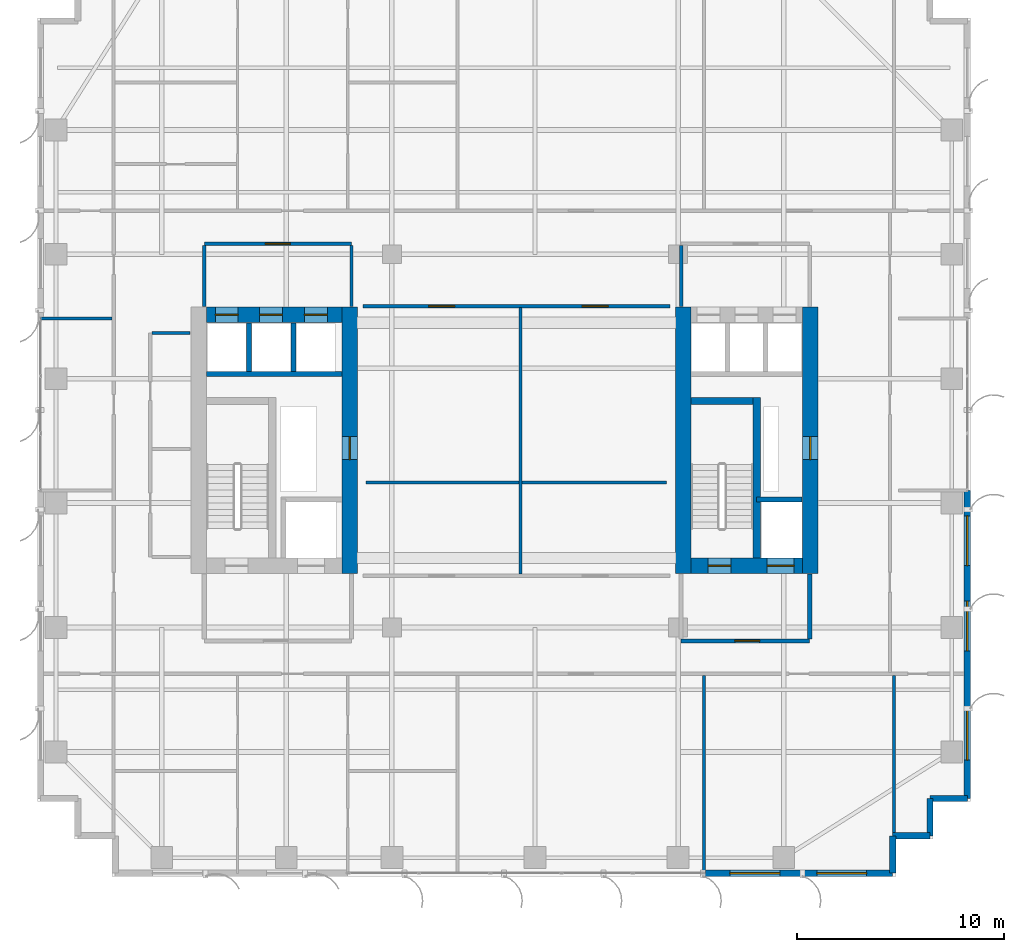
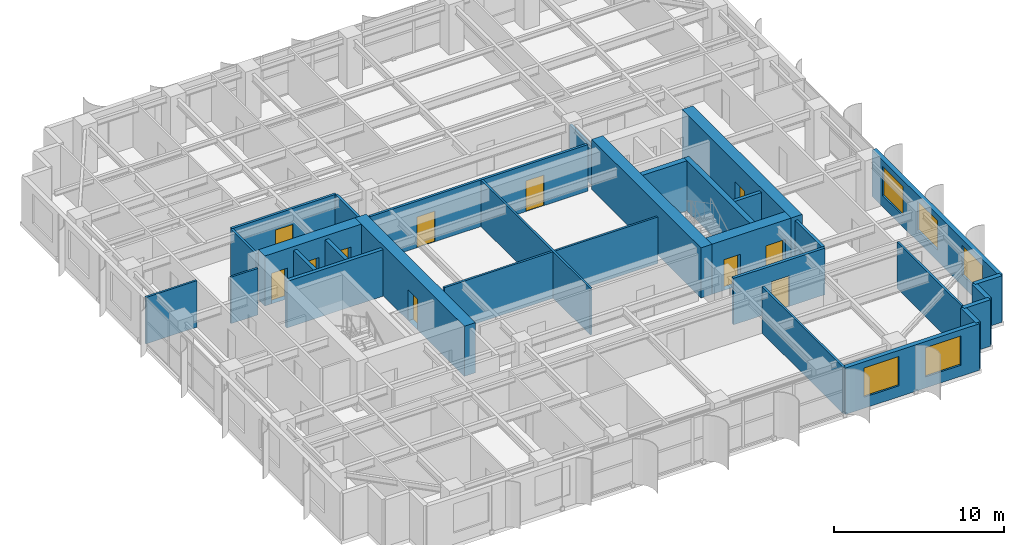
# One storey, part 21 of 26: 30 walls, 11 doors, 5 windows, 16 openings.
"""IFC4 building model written with IfcOpenShell, lengths in metres."""

from ifc_helpers import new_model, si_unit, direction, frame, frame_2d, origin, place, context, subcontext, project, spatial, rectangle, extrude, source, transform, mapped, material, layer, layer_set, type_object, element, fill, save


model = new_model("IFC4")

# Units and contexts
model_context = context("Model", 3, precision=1e-05, world=origin(), true_north=direction((0.0, 1.0)))
body_context = subcontext(model_context, "Body", "Model", "MODEL_VIEW")
ifc_project = project(units=[si_unit("LENGTHUNIT", "METRE"), si_unit("AREAUNIT", "SQUARE_METRE"), si_unit("VOLUMEUNIT", "CUBIC_METRE"), si_unit("PLANEANGLEUNIT", "RADIAN"), si_unit("MASSUNIT", "GRAM", prefix="KILO")], contexts=[model_context])

# Site, building, storey
site_placement = place(None, origin())
site = spatial("IfcSite", under=ifc_project, at=site_placement, CompositionType="ELEMENT")
building_placement = place(site_placement, origin())
building = spatial("IfcBuilding", under=site, at=building_placement, Name="Khoralis Quay Care Tower", CompositionType="ELEMENT")
storey_placement = place(building_placement, frame((0.0, 0.0, 126.89990234375)))
storey = spatial("IfcBuildingStorey", under=building, at=storey_placement, Name="L33", CompositionType="ELEMENT", Elevation=126.89990234375)

# Wall, opening, door
ifc_material_1 = material(Name="Gypsum plasterboard on acoustic metal stud")
ifc_layer_1 = layer(ifc_material_1, 0.199951171875)
ifc_layer_set_1 = layer_set([ifc_layer_1], Name="Gypsum plasterboard on acoustic metal stud")
wall_type_1 = type_object("IfcWallType", Name="WL-COMP-200", PredefinedType="PARTITIONING", material=ifc_layer_set_1)
wall_1_placement = place(storey_placement, frame((31.050048828125, 11.35009765625, 0.0), z_axis=(0.0, 0.0, 1.0), x_axis=(1.0, 0.0, 0.0)))
wall_1 = element("IfcWall", 1, at=wall_1_placement, inside=storey, type_object=wall_type_1, Name="L33 East Firefighting Lobby South Wall", PredefinedType="PARTITIONING", context=body_context, shape_type="SweptSolid", body=[
    extrude(rectangle(XDim=6.199951171875, YDim=0.199951171875, at=frame_2d((3.10009765625, 0.0))), origin(), (0.0, 0.0, 1.0), 3.340087890625),
])
opening_1_placement = place(wall_1_placement, frame((2.585693359375, 0.0, 0.0)))
opening_1 = element("IfcOpeningElement", 2, at=opening_1_placement, cuts=wall_1, Name="Opening FD1", PredefinedType="OPENING", context=body_context, shape_type="SweptSolid", body=[
    extrude(rectangle(XDim=1.199951171875, YDim=2.199951171875, at=frame_2d((0.60009765625, 1.10009765625))), frame((0.0, 0.10986328125, 0.0), z_axis=(0.0, -1.0, 0.0), x_axis=(1.0, 0.0, 0.0)), (0.0, 0.0, 1.0), 0.219970703125),
])
ifc_material_2 = material(Name="Fire-rated painted steel", Category="steel")
door_type_1 = type_object("IfcDoorType", Name="DR-FFL-1200X2200", OperationType="NOTDEFINED", PredefinedType="DOOR", material=ifc_material_2)
shared_shape_1 = source(origin(), body_context, "Body", "SweptSolid", [
    extrude(rectangle(XDim=1.199951171875, YDim=2.199951171875, at=frame_2d((0.60009765625, 1.10009765625))), frame((0.0, 0.02490234375, 0.0), z_axis=(0.0, -1.0, 0.0), x_axis=(1.0, 0.0, 0.0)), (0.0, 0.0, 1.0), 0.050048828125),
])
door_1_placement = place(opening_1_placement, origin())
door_1 = element("IfcDoor", 3, at=door_1_placement, inside=storey, type_object=door_type_1, Name="L33 East Firefighting Lobby Fire Door", OperationType="SINGLE_SWING_RIGHT", OverallHeight=2.199951171875, OverallWidth=1.199951171875, PredefinedType="DOOR", context=body_context, shape_type="MappedRepresentation", body=[
    mapped(shared_shape_1, transform((0.0, 0.0, 0.0), scale=1.0)),
])
fill(opening_1, door_1)

# Wall
wall_2_placement = place(storey_placement, frame((37.25, 11.445068359375, 0.0), z_axis=(0.0, 0.0, 1.0), x_axis=(0.0, 1.0, 0.0)))
element("IfcWall", 4, at=wall_2_placement, inside=storey, type_object=wall_type_1, Name="L33 East Firefighting Lobby East Wall", PredefinedType="PARTITIONING", context=body_context, shape_type="SweptSolid", body=[
    extrude(rectangle(XDim=3.135009765625, YDim=0.199951171875, at=frame_2d((1.5673828125, 0.0))), origin(), (0.0, 0.0, 1.0), 3.340087890625),
])

# Wall, opening, door
ifc_material_3 = material(Name="Concrete C80/95", Category="concrete")
ifc_layer_2 = layer(ifc_material_3, 0.75)
ifc_layer_set_2 = layer_set([ifc_layer_2], Name="Concrete C80/95")
wall_type_2 = type_object("IfcWallType", Name="WL-CORE-750", PredefinedType="SHEAR", material=ifc_layer_set_2)
wall_3_placement = place(storey_placement, frame((15.074951171875, 14.60009765625, 0.0), z_axis=(0.0, 0.0, 1.0), x_axis=(0.0, 1.0, 0.0)))
wall_3 = element("IfcWall", 5, at=wall_3_placement, inside=storey, type_object=wall_type_2, Name="L33 WCORE East Shear Wall", PredefinedType="SHEAR", context=body_context, shape_type="SweptSolid", body=[
    extrude(rectangle(XDim=12.849853515625, YDim=0.75, at=frame_2d((6.4248046875, 0.0))), origin(), (0.0, 0.0, 1.0), 3.60009765625),
])
opening_2_placement = place(wall_3_placement, frame((5.5, 0.0, 0.0)))
opening_2 = element("IfcOpeningElement", 6, at=opening_2_placement, cuts=wall_3, Name="Opening SD1", PredefinedType="OPENING", context=body_context, shape_type="SweptSolid", body=[
    extrude(rectangle(XDim=1.10009765625, YDim=2.199951171875, at=frame_2d((0.550048828125, 1.10009765625))), frame((0.0, 0.385009765625, 0.0), z_axis=(0.0, -1.0, 0.0), x_axis=(1.0, 0.0, 0.0)), (0.0, 0.0, 1.0), 0.77001953125),
])
door_type_2 = type_object("IfcDoorType", Name="DR-STAIR-1100X2200", OperationType="NOTDEFINED", PredefinedType="DOOR", material=ifc_material_2)
shared_shape_2 = source(origin(), body_context, "Body", "SweptSolid", [
    extrude(rectangle(XDim=1.10009765625, YDim=2.199951171875, at=frame_2d((0.550048828125, 1.10009765625))), frame((0.0, 0.02490234375, 0.0), z_axis=(0.0, -1.0, 0.0), x_axis=(1.0, 0.0, 0.0)), (0.0, 0.0, 1.0), 0.050048828125),
])
door_2_placement = place(opening_2_placement, origin())
door_2 = element("IfcDoor", 7, at=door_2_placement, inside=storey, type_object=door_type_2, Name="L33 West MEP Riser Door", OperationType="SINGLE_SWING_LEFT", OverallHeight=2.199951171875, OverallWidth=1.10009765625, PredefinedType="DOOR", context=body_context, shape_type="MappedRepresentation", body=[
    mapped(shared_shape_2, transform((0.0, 0.0, 0.0), scale=1.0)),
])
fill(opening_2, door_2)

# Wall, openings, doors
wall_4_placement = place(storey_placement, frame((8.14990234375, 27.074951171875, 0.0), z_axis=(0.0, 0.0, 1.0), x_axis=(1.0, 0.0, 0.0)))
wall_4 = element("IfcWall", 8, at=wall_4_placement, inside=storey, type_object=wall_type_2, Name="L33 WCORE North Shear Wall", PredefinedType="SHEAR", context=body_context, shape_type="SweptSolid", body=[
    extrude(rectangle(XDim=6.550048828125, YDim=0.75, at=frame_2d((3.27490234375, 0.0))), origin(), (0.0, 0.0, 1.0), 3.60009765625),
])
opening_3_placement = place(wall_4_placement, frame((0.429931640625, 0.0, 0.0)))
opening_3 = element("IfcOpeningElement", 9, at=opening_3_placement, cuts=wall_4, Name="Opening LD1", PredefinedType="OPENING", context=body_context, shape_type="SweptSolid", body=[
    extrude(rectangle(XDim=1.10009765625, YDim=2.199951171875, at=frame_2d((0.550048828125, 1.10009765625))), frame((0.0, 0.385009765625, 0.0), z_axis=(0.0, -1.0, 0.0), x_axis=(1.0, 0.0, 0.0)), (0.0, 0.0, 1.0), 0.77001953125),
])
opening_4_placement = place(wall_4_placement, frame((2.570068359375, 0.0, 0.0)))
opening_4 = element("IfcOpeningElement", 10, at=opening_4_placement, cuts=wall_4, Name="Opening LD1", PredefinedType="OPENING", context=body_context, shape_type="SweptSolid", body=[
    extrude(rectangle(XDim=1.10009765625, YDim=2.199951171875, at=frame_2d((0.550048828125, 1.10009765625))), frame((0.0, 0.385009765625, 0.0), z_axis=(0.0, -1.0, 0.0), x_axis=(1.0, 0.0, 0.0)), (0.0, 0.0, 1.0), 0.77001953125),
])
opening_5_placement = place(wall_4_placement, frame((4.72998046875, 0.0, 0.0)))
opening_5 = element("IfcOpeningElement", 11, at=opening_5_placement, cuts=wall_4, Name="Opening LD1", PredefinedType="OPENING", context=body_context, shape_type="SweptSolid", body=[
    extrude(rectangle(XDim=1.10009765625, YDim=2.199951171875, at=frame_2d((0.550048828125, 1.10009765625))), frame((0.0, 0.385009765625, 0.0), z_axis=(0.0, -1.0, 0.0), x_axis=(1.0, 0.0, 0.0)), (0.0, 0.0, 1.0), 0.77001953125),
])
ifc_material_4 = material(Name="Brushed stainless steel", Category="steel")
door_type_3 = type_object("IfcDoorType", Name="DR-LIFT-1100X2200", OperationType="SLIDING_TO_LEFT", PredefinedType="DOOR", material=ifc_material_4)
shared_shape_3 = source(origin(), body_context, "Body", "SweptSolid", [
    extrude(rectangle(XDim=1.10009765625, YDim=2.199951171875, at=frame_2d((0.550048828125, 1.10009765625))), frame((0.0, 0.02490234375, 0.0), z_axis=(0.0, -1.0, 0.0), x_axis=(1.0, 0.0, 0.0)), (0.0, 0.0, 1.0), 0.050048828125),
])
door_3_placement = place(opening_3_placement, origin())
door_3 = element("IfcDoor", 12, at=door_3_placement, inside=storey, type_object=door_type_3, Name="L33 Lift PLL1 Landing Door", OperationType="SLIDING_TO_LEFT", OverallHeight=2.199951171875, OverallWidth=1.10009765625, PredefinedType="DOOR", context=body_context, shape_type="MappedRepresentation", body=[
    mapped(shared_shape_3, transform((0.0, 0.0, 0.0), scale=1.0)),
])
fill(opening_3, door_3)
door_4_placement = place(opening_4_placement, origin())
door_4 = element("IfcDoor", 13, at=door_4_placement, inside=storey, type_object=door_type_3, Name="L33 Lift PLM1 Landing Door", OperationType="SLIDING_TO_LEFT", OverallHeight=2.199951171875, OverallWidth=1.10009765625, PredefinedType="DOOR", context=body_context, shape_type="MappedRepresentation", body=[
    mapped(shared_shape_3, transform((0.0, 0.0, 0.0), scale=1.0)),
])
fill(opening_4, door_4)
door_5_placement = place(opening_5_placement, origin())
door_5 = element("IfcDoor", 14, at=door_5_placement, inside=storey, type_object=door_type_3, Name="L33 Lift PLH1 Landing Door", OperationType="SLIDING_TO_LEFT", OverallHeight=2.199951171875, OverallWidth=1.10009765625, PredefinedType="DOOR", context=body_context, shape_type="MappedRepresentation", body=[
    mapped(shared_shape_3, transform((0.0, 0.0, 0.0), scale=1.0)),
])
fill(opening_5, door_5)

# Wall
wall_5_placement = place(storey_placement, frame((31.14501953125, 14.60009765625, 0.0), z_axis=(0.0, 0.0, 1.0), x_axis=(0.0, 1.0, 0.0)))
element("IfcWall", 15, at=wall_5_placement, inside=storey, type_object=wall_type_2, Name="L33 ECORE West Shear Wall", PredefinedType="SHEAR", context=body_context, shape_type="SweptSolid", body=[
    extrude(rectangle(XDim=12.849853515625, YDim=0.75, at=frame_2d((6.4248046875, 0.0))), origin(), (0.0, 0.0, 1.0), 3.60009765625),
])

# Wall, opening, door
wall_6_placement = place(storey_placement, frame((37.27490234375, 14.60009765625, 0.0), z_axis=(0.0, 0.0, 1.0), x_axis=(0.0, 1.0, 0.0)))
wall_6 = element("IfcWall", 16, at=wall_6_placement, inside=storey, type_object=wall_type_2, Name="L33 ECORE East Shear Wall", PredefinedType="SHEAR", context=body_context, shape_type="SweptSolid", body=[
    extrude(rectangle(XDim=12.849853515625, YDim=0.75, at=frame_2d((6.4248046875, 0.0))), origin(), (0.0, 0.0, 1.0), 3.60009765625),
])
opening_6_placement = place(wall_6_placement, frame((5.5, 0.0, 0.0)))
opening_6 = element("IfcOpeningElement", 17, at=opening_6_placement, cuts=wall_6, Name="Opening SD1", PredefinedType="OPENING", context=body_context, shape_type="SweptSolid", body=[
    extrude(rectangle(XDim=1.10009765625, YDim=2.199951171875, at=frame_2d((0.550048828125, 1.10009765625))), frame((0.0, 0.385009765625, 0.0), z_axis=(0.0, -1.0, 0.0), x_axis=(1.0, 0.0, 0.0)), (0.0, 0.0, 1.0), 0.77001953125),
])
door_6_placement = place(opening_6_placement, frame((1.10009765625, 0.0, 0.0), z_axis=(0.0, 0.0, 1.0), x_axis=(-1.0, 0.0, 0.0)))
door_6 = element("IfcDoor", 18, at=door_6_placement, inside=storey, type_object=door_type_2, Name="L33 East MEP Riser Door", OperationType="SINGLE_SWING_RIGHT", OverallHeight=2.199951171875, OverallWidth=1.10009765625, PredefinedType="DOOR", context=body_context, shape_type="MappedRepresentation", body=[
    mapped(shared_shape_2, transform((0.0, 0.0, 0.0), scale=1.0)),
])
fill(opening_6, door_6)

# Wall, openings, doors
wall_7_placement = place(storey_placement, frame((31.52001953125, 14.97509765625, 0.0), z_axis=(0.0, 0.0, 1.0), x_axis=(1.0, 0.0, 0.0)))
wall_7 = element("IfcWall", 19, at=wall_7_placement, inside=storey, type_object=wall_type_2, Name="L33 ECORE South Shear Wall", PredefinedType="SHEAR", context=body_context, shape_type="SweptSolid", body=[
    extrude(rectangle(XDim=5.3798828125, YDim=0.75, at=frame_2d((2.68994140625, 0.0))), origin(), (0.0, 0.0, 1.0), 3.60009765625),
])
opening_7_placement = place(wall_7_placement, frame((0.830078125, 0.0, 0.0)))
opening_7 = element("IfcOpeningElement", 20, at=opening_7_placement, cuts=wall_7, Name="Opening SD1", PredefinedType="OPENING", context=body_context, shape_type="SweptSolid", body=[
    extrude(rectangle(XDim=1.10009765625, YDim=2.199951171875, at=frame_2d((0.550048828125, 1.10009765625))), frame((0.0, 0.385009765625, 0.0), z_axis=(0.0, -1.0, 0.0), x_axis=(1.0, 0.0, 0.0)), (0.0, 0.0, 1.0), 0.77001953125),
])
opening_8_placement = place(wall_7_placement, frame((3.679931640625, 0.0, 0.0)))
opening_8 = element("IfcOpeningElement", 21, at=opening_8_placement, cuts=wall_7, Name="Opening LD2", PredefinedType="OPENING", context=body_context, shape_type="SweptSolid", body=[
    extrude(rectangle(XDim=1.300048828125, YDim=2.199951171875, at=frame_2d((0.64990234375, 1.10009765625))), frame((0.0, 0.385009765625, 0.0), z_axis=(0.0, -1.0, 0.0), x_axis=(1.0, 0.0, 0.0)), (0.0, 0.0, 1.0), 0.77001953125),
])
door_7_placement = place(opening_7_placement, origin())
door_7 = element("IfcDoor", 22, at=door_7_placement, inside=storey, type_object=door_type_2, Name="L33 Stair ST-T2 Fire Door", OperationType="SINGLE_SWING_RIGHT", OverallHeight=2.199951171875, OverallWidth=1.10009765625, PredefinedType="DOOR", context=body_context, shape_type="MappedRepresentation", body=[
    mapped(shared_shape_2, transform((0.0, 0.0, 0.0), scale=1.0)),
])
fill(opening_7, door_7)
door_type_4 = type_object("IfcDoorType", Name="DR-LIFT-1300X2200", OperationType="SLIDING_TO_RIGHT", PredefinedType="DOOR", material=ifc_material_4)
shared_shape_4 = source(origin(), body_context, "Body", "SweptSolid", [
    extrude(rectangle(XDim=1.300048828125, YDim=2.199951171875, at=frame_2d((0.64990234375, 1.10009765625))), frame((0.0, 0.02490234375, 0.0), z_axis=(0.0, -1.0, 0.0), x_axis=(1.0, 0.0, 0.0)), (0.0, 0.0, 1.0), 0.050048828125),
])
door_8_placement = place(opening_8_placement, origin())
door_8 = element("IfcDoor", 23, at=door_8_placement, inside=storey, type_object=door_type_4, Name="L33 Firefighting Lift FFL-2 Landing Door", OperationType="SLIDING_TO_RIGHT", OverallHeight=2.199951171875, OverallWidth=1.300048828125, PredefinedType="DOOR", context=body_context, shape_type="MappedRepresentation", body=[
    mapped(shared_shape_4, transform((0.0, 0.0, 0.0), scale=1.0)),
])
fill(opening_8, door_8)

# Wall, opening, door
ifc_layer_3 = layer(ifc_material_1, 0.1650390625)
ifc_layer_set_3 = layer_set([ifc_layer_3], Name="Gypsum plasterboard on acoustic metal stud")
wall_type_3 = type_object("IfcWallType", Name="WL-CORR-165", PredefinedType="PARTITIONING", material=ifc_layer_set_3)
wall_8_placement = place(storey_placement, frame((8.050048828125, 30.5, 0.0), z_axis=(0.0, 0.0, 1.0), x_axis=(1.0, 0.0, 0.0)))
wall_8 = element("IfcWall", 24, at=wall_8_placement, inside=storey, type_object=wall_type_3, Name="L33 West Lift Lobby North Wall", PredefinedType="PARTITIONING", context=body_context, shape_type="SweptSolid", body=[
    extrude(rectangle(XDim=7.099853515625, YDim=0.1650390625, at=frame_2d((3.5498046875, 0.0))), origin(), (0.0, 0.0, 1.0), 3.340087890625),
])
opening_9_placement = place(wall_8_placement, frame((2.949951171875, 0.0, 0.0)))
opening_9 = element("IfcOpeningElement", 25, at=opening_9_placement, cuts=wall_8, Name="Opening FD1", PredefinedType="OPENING", context=body_context, shape_type="SweptSolid", body=[
    extrude(rectangle(XDim=1.199951171875, YDim=2.199951171875, at=frame_2d((0.60009765625, 1.10009765625))), frame((0.0, 0.092529296875, 0.0), z_axis=(0.0, -1.0, 0.0), x_axis=(1.0, 0.0, 0.0)), (0.0, 0.0, 1.0), 0.18505859375),
])
door_9_placement = place(opening_9_placement, origin())
door_9 = element("IfcDoor", 26, at=door_9_placement, inside=storey, type_object=door_type_1, Name="L33 West Lift Lobby Double Door", OperationType="DOUBLE_DOOR_SINGLE_SWING", OverallHeight=2.199951171875, OverallWidth=1.199951171875, PredefinedType="DOOR", context=body_context, shape_type="MappedRepresentation", body=[
    mapped(shared_shape_1, transform((0.0, 0.0, 0.0), scale=1.0)),
])
fill(opening_9, door_9)

# Walls
for number, where, z_axis, x_axis, name in (
    (27, (8.050048828125, 27.469970703125, 0.0), (0.0, 0.0, 1.0), (0.0, 1.0, 0.0), "L33 West Lift Lobby West Wall"),
    (28, (15.14990234375, 27.469970703125, 0.0), (0.0, 0.0, 1.0), (0.0, 1.0, 0.0), "L33 West Lift Lobby East Wall"),
):
    element("IfcWall", number, at=place(storey_placement, frame(where, z_axis=z_axis, x_axis=x_axis)), inside=storey, type_object=wall_type_3, Name=name, PredefinedType="PARTITIONING", context=body_context, shape_type="SweptSolid", body=[
        extrude(rectangle(XDim=2.95263671875, YDim=0.1650390625, at=frame_2d((1.476318359375, 0.0))), origin(), (0.0, 0.0, 1.0), 3.340087890625),
    ])
wall_9_placement = place(storey_placement, frame((31.050048828125, 27.469970703125, 0.0), z_axis=(0.0, 0.0, 1.0), x_axis=(0.0, 1.0, 0.0)))
element("IfcWall", 29, at=wall_9_placement, inside=storey, type_object=wall_type_3, Name="L33 East Lift Lobby West Wall", PredefinedType="PARTITIONING", context=body_context, shape_type="SweptSolid", body=[
    extrude(rectangle(XDim=2.95263671875, YDim=0.1650390625, at=frame_2d((1.476318359375, 0.0))), origin(), (0.0, 0.0, 1.0), 2.796142578125),
])

# Wall, openings, doors
wall_10_placement = place(storey_placement, frame((15.699951171875, 27.5, 0.0), z_axis=(0.0, 0.0, 1.0), x_axis=(1.0, 0.0, 0.0)))
wall_10 = element("IfcWall", 30, at=wall_10_placement, inside=storey, type_object=wall_type_3, Name="L33 Central Clinical North Wall", PredefinedType="PARTITIONING", context=body_context, shape_type="SweptSolid", body=[
    extrude(rectangle(XDim=14.800048828125, YDim=0.1650390625, at=frame_2d((7.39990234375, 0.0))), origin(), (0.0, 0.0, 1.0), 3.340087890625),
])
opening_10_placement = place(wall_10_placement, frame((3.175048828125, 0.0, 0.0)))
opening_10 = element("IfcOpeningElement", 31, at=opening_10_placement, cuts=wall_10, Name="Opening CD1", PredefinedType="OPENING", context=body_context, shape_type="SweptSolid", body=[
    extrude(rectangle(XDim=1.25, YDim=2.199951171875, at=frame_2d((0.625, 1.10009765625))), frame((0.0, 0.092529296875, 0.0), z_axis=(0.0, -1.0, 0.0), x_axis=(1.0, 0.0, 0.0)), (0.0, 0.0, 1.0), 0.18505859375),
])
opening_11_placement = place(wall_10_placement, frame((10.574951171875, 0.0, 0.0)))
opening_11 = element("IfcOpeningElement", 32, at=opening_11_placement, cuts=wall_10, Name="Opening CD1", PredefinedType="OPENING", context=body_context, shape_type="SweptSolid", body=[
    extrude(rectangle(XDim=1.25, YDim=2.199951171875, at=frame_2d((0.625, 1.10009765625))), frame((0.0, 0.092529296875, 0.0), z_axis=(0.0, -1.0, 0.0), x_axis=(1.0, 0.0, 0.0)), (0.0, 0.0, 1.0), 0.18505859375),
])
ifc_material_5 = material(Name="Acoustic hardwood timber", Category="wood")
door_type_5 = type_object("IfcDoorType", Name="DR-CARE-1250X2200", OperationType="NOTDEFINED", PredefinedType="DOOR", material=ifc_material_5)
shared_shape_5 = source(origin(), body_context, "Body", "SweptSolid", [
    extrude(rectangle(XDim=1.25, YDim=2.199951171875, at=frame_2d((0.625, 1.10009765625))), frame((0.0, 0.02490234375, 0.0), z_axis=(0.0, -1.0, 0.0), x_axis=(1.0, 0.0, 0.0)), (0.0, 0.0, 1.0), 0.050048828125),
])
door_10_placement = place(opening_10_placement, frame((1.25, 0.0, 0.0), z_axis=(0.0, 0.0, 1.0), x_axis=(-1.0, 0.0, 0.0)))
door_10 = element("IfcDoor", 33, at=door_10_placement, inside=storey, type_object=door_type_5, Name="L33 Library Lounge Door", OperationType="SINGLE_SWING_LEFT", OverallHeight=2.199951171875, OverallWidth=1.25, PredefinedType="DOOR", context=body_context, shape_type="MappedRepresentation", body=[
    mapped(shared_shape_5, transform((0.0, 0.0, 0.0), scale=1.0)),
])
fill(opening_10, door_10)
door_11_placement = place(opening_11_placement, frame((1.25, 0.0, 0.0), z_axis=(0.0, 0.0, 1.0), x_axis=(-1.0, 0.0, 0.0)))
door_11 = element("IfcDoor", 34, at=door_11_placement, inside=storey, type_object=door_type_5, Name="L33 Occupational Therapy Door", OperationType="SINGLE_SWING_RIGHT", OverallHeight=2.199951171875, OverallWidth=1.25, PredefinedType="DOOR", context=body_context, shape_type="MappedRepresentation", body=[
    mapped(shared_shape_5, transform((0.0, 0.0, 0.0), scale=1.0)),
])
fill(opening_11, door_11)

# Wall, openings, windows
ifc_material_6 = material(Name="Precast concrete C45/55", Category="concrete")
ifc_layer_4 = layer(ifc_material_6, 0.300048828125)
ifc_layer_set_4 = layer_set([ifc_layer_4], Name="Precast concrete C45/55")
wall_type_4 = type_object("IfcWallType", Name="WL-EXT-REF-300", PredefinedType="SOLIDWALL", material=ifc_layer_set_4)
wall_11_placement = place(storey_placement, frame((32.14990234375, 0.14990234375, 0.0), z_axis=(0.0, 0.0, 1.0), x_axis=(1.0, 0.0, 0.0)))
wall_11 = element("IfcWall", 35, at=wall_11_placement, inside=storey, type_object=wall_type_4, Name="L33 External Facade Wall WL-EXT-L33-P1-E0B", PredefinedType="SOLIDWALL", context=body_context, shape_type="SweptSolid", body=[
    extrude(rectangle(XDim=9.10009765625, YDim=0.300048828125, at=frame_2d((4.550048828125, 0.0))), origin(), (0.0, 0.0, 1.0), 3.340087890625),
])
opening_12_placement = place(wall_11_placement, frame((1.2548828125, 0.0, 0.800048828125)))
opening_12 = element("IfcOpeningElement", 36, at=opening_12_placement, cuts=wall_11, Name="Opening W1", PredefinedType="OPENING", context=body_context, shape_type="SweptSolid", body=[
    extrude(rectangle(XDim=2.39990234375, YDim=2.10009765625, at=frame_2d((1.199951171875, 1.050048828125))), frame((0.0, 0.16015625, 0.0), z_axis=(0.0, -1.0, 0.0), x_axis=(1.0, 0.0, 0.0)), (0.0, 0.0, 1.0), 0.320068359375),
])
opening_13_placement = place(wall_11_placement, frame((5.445068359375, 0.0, 0.800048828125)))
opening_13 = element("IfcOpeningElement", 37, at=opening_13_placement, cuts=wall_11, Name="Opening W1", PredefinedType="OPENING", context=body_context, shape_type="SweptSolid", body=[
    extrude(rectangle(XDim=2.39990234375, YDim=2.10009765625, at=frame_2d((1.199951171875, 1.050048828125))), frame((0.0, 0.16015625, 0.0), z_axis=(0.0, -1.0, 0.0), x_axis=(1.0, 0.0, 0.0)), (0.0, 0.0, 1.0), 0.320068359375),
])
ifc_material_7 = material(Name="Low-E solar-control double glazing", Category="glass")
window_type = type_object("IfcWindowType", Name="WN-POD-2400X2100", PartitioningType="SINGLE_PANEL", PredefinedType="WINDOW", material=ifc_material_7)
shared_shape_6 = source(origin(), body_context, "Body", "SweptSolid", [
    extrude(rectangle(XDim=2.39990234375, YDim=2.10009765625, at=frame_2d((1.199951171875, 1.050048828125))), frame((0.0, 0.030029296875, 0.0), z_axis=(0.0, -1.0, 0.0), x_axis=(1.0, 0.0, 0.0)), (0.0, 0.0, 1.0), 0.06005859375),
])
window_1_placement = place(opening_12_placement, origin())
window_1 = element("IfcWindow", 38, at=window_1_placement, inside=storey, type_object=window_type, Name="WN-L33-P1-E0B Facade Window 01", OverallHeight=2.10009765625, OverallWidth=2.39990234375, PartitioningType="SINGLE_PANEL", PredefinedType="WINDOW", context=body_context, shape_type="MappedRepresentation", body=[
    mapped(shared_shape_6, transform((0.0, 0.0, 0.0), scale=1.0)),
])
fill(opening_12, window_1)
window_2_placement = place(opening_13_placement, origin())
window_2 = element("IfcWindow", 39, at=window_2_placement, inside=storey, type_object=window_type, Name="WN-L33-P1-E0B Facade Window 02", OverallHeight=2.10009765625, OverallWidth=2.39990234375, PartitioningType="SINGLE_PANEL", PredefinedType="WINDOW", context=body_context, shape_type="MappedRepresentation", body=[
    mapped(shared_shape_6, transform((0.0, 0.0, 0.0), scale=1.0)),
])
fill(opening_13, window_2)

# Walls
for number, where, z_axis, x_axis, name in (
    (40, (41.25, 0.14990234375, 0.0), (0.0, 0.0, 1.0), (0.0, 1.0, 0.0), "L33 External Facade Wall WL-EXT-L33-P1-C1"),
    (41, (41.25, 1.949951171875, 0.0), (0.0, 0.0, 1.0), (1.0, 0.0, 0.0), "L33 External Facade Wall WL-EXT-L33-P1-C2"),
    (42, (43.050048828125, 1.949951171875, 0.0), (0.0, 0.0, 1.0), (0.0, 1.0, 0.0), "L33 External Facade Wall WL-EXT-L33-P1-C3"),
    (43, (43.050048828125, 3.75, 0.0), (0.0, 0.0, 1.0), (1.0, 0.0, 0.0), "L33 External Facade Wall WL-EXT-L33-P1-C4"),
):
    element("IfcWall", number, at=place(storey_placement, frame(where, z_axis=z_axis, x_axis=x_axis)), inside=storey, type_object=wall_type_4, Name=name, PredefinedType="SOLIDWALL", context=body_context, shape_type="SweptSolid", body=[
        extrude(rectangle(XDim=1.800048828125, YDim=0.300048828125, at=frame_2d((0.89990234375, 0.0))), origin(), (0.0, 0.0, 1.0), 3.340087890625),
    ])

# Wall, openings, windows
wall_12_placement = place(storey_placement, frame((44.85009765625, 3.75, 0.0), z_axis=(0.0, 0.0, 1.0), x_axis=(0.0, 1.0, 0.0)))
wall_12 = element("IfcWall", 44, at=wall_12_placement, inside=storey, type_object=wall_type_4, Name="L33 External Facade Wall WL-EXT-L33-P1-E5A", PredefinedType="SOLIDWALL", context=body_context, shape_type="SweptSolid", body=[
    extrude(rectangle(XDim=14.85009765625, YDim=0.300048828125, at=frame_2d((7.425048828125, 0.0))), origin(), (0.0, 0.0, 1.0), 3.340087890625),
])
opening_14_placement = place(wall_12_placement, frame((1.85498046875, 0.0, 0.800048828125)))
opening_14 = element("IfcOpeningElement", 45, at=opening_14_placement, cuts=wall_12, Name="Opening W1", PredefinedType="OPENING", context=body_context, shape_type="SweptSolid", body=[
    extrude(rectangle(XDim=2.39990234375, YDim=2.10009765625, at=frame_2d((1.199951171875, 1.050048828125))), frame((0.0, 0.16015625, 0.0), z_axis=(0.0, -1.0, 0.0), x_axis=(1.0, 0.0, 0.0)), (0.0, 0.0, 1.0), 0.320068359375),
])
opening_15_placement = place(wall_12_placement, frame((7.125, 0.0, 0.800048828125)))
opening_15 = element("IfcOpeningElement", 46, at=opening_15_placement, cuts=wall_12, Name="Opening W1", PredefinedType="OPENING", context=body_context, shape_type="SweptSolid", body=[
    extrude(rectangle(XDim=2.39990234375, YDim=2.10009765625, at=frame_2d((1.199951171875, 1.050048828125))), frame((0.0, 0.16015625, 0.0), z_axis=(0.0, -1.0, 0.0), x_axis=(1.0, 0.0, 0.0)), (0.0, 0.0, 1.0), 0.320068359375),
])
opening_16_placement = place(wall_12_placement, frame((11.235107421875, 0.0, 0.800048828125)))
opening_16 = element("IfcOpeningElement", 47, at=opening_16_placement, cuts=wall_12, Name="Opening W1", PredefinedType="OPENING", context=body_context, shape_type="SweptSolid", body=[
    extrude(rectangle(XDim=2.39990234375, YDim=2.10009765625, at=frame_2d((1.199951171875, 1.050048828125))), frame((0.0, 0.16015625, 0.0), z_axis=(0.0, -1.0, 0.0), x_axis=(1.0, 0.0, 0.0)), (0.0, 0.0, 1.0), 0.320068359375),
])
window_3_placement = place(opening_14_placement, origin())
window_3 = element("IfcWindow", 48, at=window_3_placement, inside=storey, type_object=window_type, Name="WN-L33-P1-E5A Facade Window 01", OverallHeight=2.10009765625, OverallWidth=2.39990234375, PartitioningType="SINGLE_PANEL", PredefinedType="WINDOW", context=body_context, shape_type="MappedRepresentation", body=[
    mapped(shared_shape_6, transform((0.0, 0.0, 0.0), scale=1.0)),
])
fill(opening_14, window_3)
window_4_placement = place(opening_15_placement, origin())
window_4 = element("IfcWindow", 49, at=window_4_placement, inside=storey, type_object=window_type, Name="WN-L33-P1-E5A Facade Window 02", OverallHeight=2.10009765625, OverallWidth=2.39990234375, PartitioningType="SINGLE_PANEL", PredefinedType="WINDOW", context=body_context, shape_type="MappedRepresentation", body=[
    mapped(shared_shape_6, transform((0.0, 0.0, 0.0), scale=1.0)),
])
fill(opening_15, window_4)
window_5_placement = place(opening_16_placement, origin())
window_5 = element("IfcWindow", 50, at=window_5_placement, inside=storey, type_object=window_type, Name="WN-L33-P1-E5A Facade Window 03", OverallHeight=2.10009765625, OverallWidth=2.39990234375, PartitioningType="SINGLE_PANEL", PredefinedType="WINDOW", context=body_context, shape_type="MappedRepresentation", body=[
    mapped(shared_shape_6, transform((0.0, 0.0, 0.0), scale=1.0)),
])
fill(opening_16, window_5)

# Walls
ifc_material_8 = material(Name="Concrete C40/50", Category="concrete")
ifc_layer_5 = layer(ifc_material_8, 0.35009765625)
ifc_layer_set_5 = layer_set([ifc_layer_5], Name="Concrete C40/50")
wall_type_5 = type_object("IfcWallType", Name="WL-SC-CORE-350", PredefinedType="SHEAR", material=ifc_layer_set_5)
wall_13_placement = place(storey_placement, frame((34.695068359375, 15.35009765625, 0.0), z_axis=(0.0, 0.0, 1.0), x_axis=(0.0, 1.0, 0.0)))
element("IfcWall", 51, at=wall_13_placement, inside=storey, type_object=wall_type_5, Name="L33 Stair ST-T2 Shear Baffle Wall East", PredefinedType="SHEAR", context=body_context, shape_type="SweptSolid", body=[
    extrude(rectangle(XDim=7.75, YDim=0.35009765625, at=frame_2d((3.875, 0.0))), origin(), (0.0, 0.0, 1.0), 3.60009765625),
])
wall_14_placement = place(storey_placement, frame((31.52001953125, 22.925048828125, 0.0), z_axis=(0.0, 0.0, 1.0), x_axis=(1.0, 0.0, 0.0)))
element("IfcWall", 52, at=wall_14_placement, inside=storey, type_object=wall_type_5, Name="L33 Stair ST-T2 Shear Baffle Wall North", PredefinedType="SHEAR", context=body_context, shape_type="SweptSolid", body=[
    extrude(rectangle(XDim=3.0, YDim=0.35009765625, at=frame_2d((1.5, 0.0))), origin(), (0.0, 0.0, 1.0), 3.60009765625),
])
ifc_layer_6 = layer(ifc_material_1, 0.239990234375)
ifc_layer_set_6 = layer_set([ifc_layer_6], Name="Gypsum plasterboard on acoustic metal stud")
wall_type_6 = type_object("IfcWallType", Name="WL-SHAFT-240", PredefinedType="PARTITIONING", material=ifc_layer_set_6)
wall_15_placement = place(storey_placement, frame((34.679931640625, 18.169921875, 0.0), z_axis=(0.0, 0.0, 1.0), x_axis=(1.0, 0.0, 0.0)))
element("IfcWall", 53, at=wall_15_placement, inside=storey, type_object=wall_type_6, Name="L33 FFL-2 Shaft Wall North", PredefinedType="PARTITIONING", context=body_context, shape_type="SweptSolid", body=[
    extrude(rectangle(XDim=2.199951171875, YDim=0.239990234375, at=frame_2d((1.10009765625, 0.0))), origin(), (0.0, 0.0, 1.0), 3.340087890625),
])
wall_16_placement = place(storey_placement, frame((8.14990234375, 24.22998046875, 0.0), z_axis=(0.0, 0.0, 1.0), x_axis=(1.0, 0.0, 0.0)))
element("IfcWall", 54, at=wall_16_placement, inside=storey, type_object=wall_type_6, Name="L33 West Passenger Shaft South Wall", PredefinedType="PARTITIONING", context=body_context, shape_type="SweptSolid", body=[
    extrude(rectangle(XDim=6.530029296875, YDim=0.239990234375, at=frame_2d((3.26513671875, 0.0))), origin(), (0.0, 0.0, 1.0), 3.340087890625),
])
for number, where, z_axis, x_axis, name in (
    (55, (10.199951171875, 24.344970703125, 0.0), (0.0, 0.0, 1.0), (0.0, 1.0, 0.0), "L33 West Shaft Divider 1"),
    (56, (12.35009765625, 24.344970703125, 0.0), (0.0, 0.0, 1.0), (0.0, 1.0, 0.0), "L33 West Shaft Divider 2"),
):
    element("IfcWall", number, at=place(storey_placement, frame(where, z_axis=z_axis, x_axis=x_axis)), inside=storey, type_object=wall_type_6, Name=name, PredefinedType="PARTITIONING", context=body_context, shape_type="SweptSolid", body=[
        extrude(rectangle(XDim=2.3349609375, YDim=0.239990234375, at=frame_2d((1.16748046875, 0.0))), origin(), (0.0, 0.0, 1.0), 3.340087890625),
    ])
ifc_layer_7 = layer(ifc_material_1, 0.139892578125)
ifc_layer_set_7 = layer_set([ifc_layer_7], Name="Gypsum plasterboard on acoustic metal stud")
wall_type_7 = type_object("IfcWallType", Name="WL-UNIT-140", PredefinedType="PARTITIONING", material=ifc_layer_set_7)
wall_17_placement = place(storey_placement, frame((5.527587890625, 26.199951171875, 0.0), z_axis=(0.0, 0.0, 1.0), x_axis=(1.0, 0.0, 0.0)))
element("IfcWall", 57, at=wall_17_placement, inside=storey, type_object=wall_type_7, Name="L33 West Flank North Cap", PredefinedType="PARTITIONING", context=body_context, shape_type="SweptSolid", body=[
    extrude(rectangle(XDim=1.83251953125, YDim=0.139892578125, at=frame_2d((0.916259765625, 0.0))), origin(), (0.0, 0.0, 1.0), 3.340087890625),
])
wall_18_placement = place(storey_placement, frame((0.14501953125, 26.89990234375, 0.0), z_axis=(0.0, 0.0, 1.0), x_axis=(1.0, 0.0, 0.0)))
element("IfcWall", 58, at=wall_18_placement, inside=storey, type_object=wall_type_7, Name="L33 WW Divider 2", PredefinedType="PARTITIONING", context=body_context, shape_type="SweptSolid", body=[
    extrude(rectangle(XDim=3.45751953125, YDim=0.139892578125, at=frame_2d((1.728759765625, 0.0))), origin(), (0.0, 0.0, 1.0), 3.340087890625),
])
wall_19_placement = place(storey_placement, frame((23.300048828125, 14.577392578125, 0.0), z_axis=(0.0, 0.0, 1.0), x_axis=(0.0, 1.0, 0.0)))
element("IfcWall", 59, at=wall_19_placement, inside=storey, type_object=wall_type_7, Name="L33 Central Split V", PredefinedType="PARTITIONING", context=body_context, shape_type="SweptSolid", body=[
    extrude(rectangle(XDim=12.84521484375, YDim=0.139892578125, at=frame_2d((6.422607421875, 0.0))), origin(), (0.0, 0.0, 1.0), 3.340087890625),
])
wall_20_placement = place(storey_placement, frame((15.85009765625, 19.0, 0.0), z_axis=(0.0, 0.0, 1.0), x_axis=(1.0, 0.0, 0.0)))
element("IfcWall", 60, at=wall_20_placement, inside=storey, type_object=wall_type_7, Name="L33 Central Split H", PredefinedType="PARTITIONING", context=body_context, shape_type="SweptSolid", body=[
    extrude(rectangle(XDim=14.5, YDim=0.139892578125, at=frame_2d((7.25, 0.0))), origin(), (0.0, 0.0, 1.0), 3.340087890625),
])
wall_21_placement = place(storey_placement, frame((32.14990234375, 0.14501953125, 0.0), z_axis=(0.0, 0.0, 1.0), x_axis=(0.0, 1.0, 0.0)))
element("IfcWall", 61, at=wall_21_placement, inside=storey, type_object=wall_type_7, Name="L33 SB Demising Wall 2", PredefinedType="PARTITIONING", context=body_context, shape_type="SweptSolid", body=[
    extrude(rectangle(XDim=9.53759765625, YDim=0.139892578125, at=frame_2d((4.768798828125, 0.0))), origin(), (0.0, 0.0, 1.0), 3.340087890625),
])
wall_22_placement = place(storey_placement, frame((41.320068359375, 1.945068359375, 0.0), z_axis=(0.0, 0.0, 1.0), x_axis=(0.0, 1.0, 0.0)))
element("IfcWall", 62, at=wall_22_placement, inside=storey, type_object=wall_type_7, Name="L33 SB Demising Wall 3", PredefinedType="PARTITIONING", context=body_context, shape_type="SweptSolid", body=[
    extrude(rectangle(XDim=7.737548828125, YDim=0.139892578125, at=frame_2d((3.86865234375, 0.0))), origin(), (0.0, 0.0, 1.0), 3.340087890625),
])

save(model, "model.ifc")
